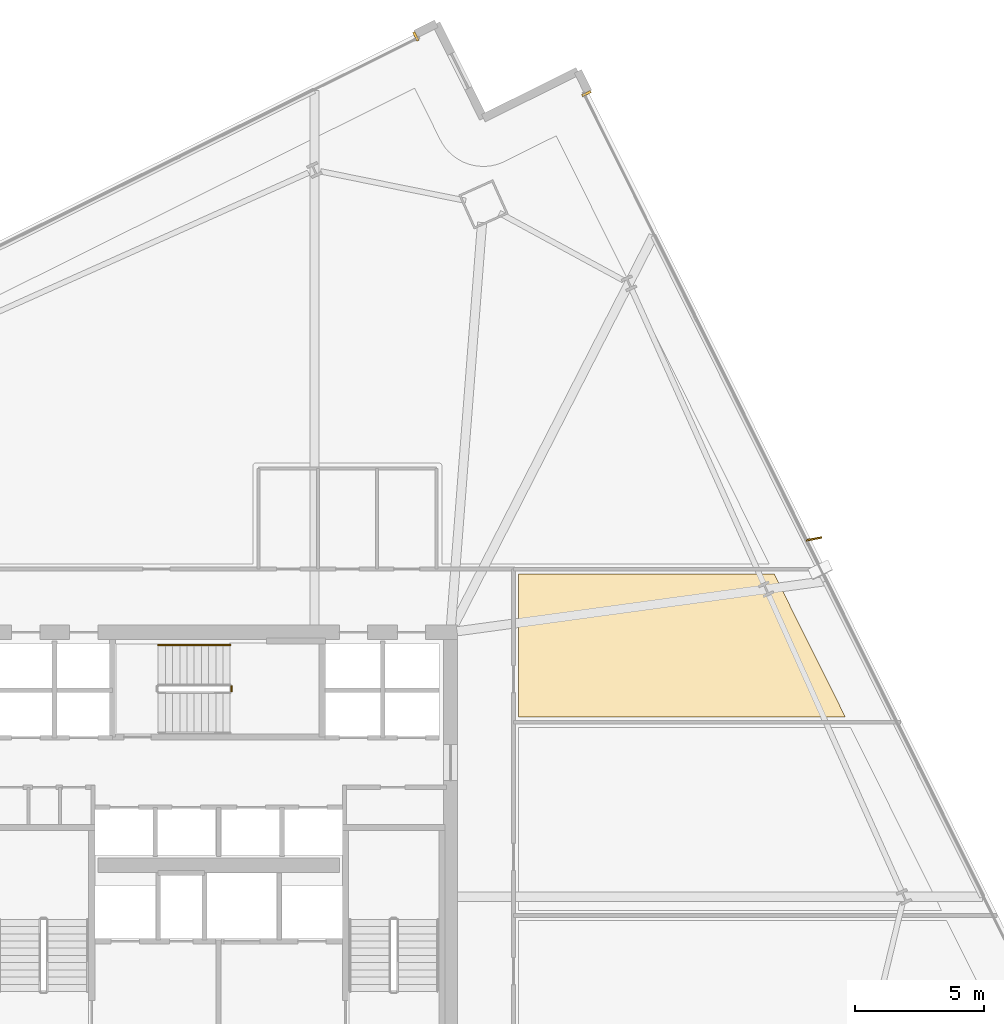
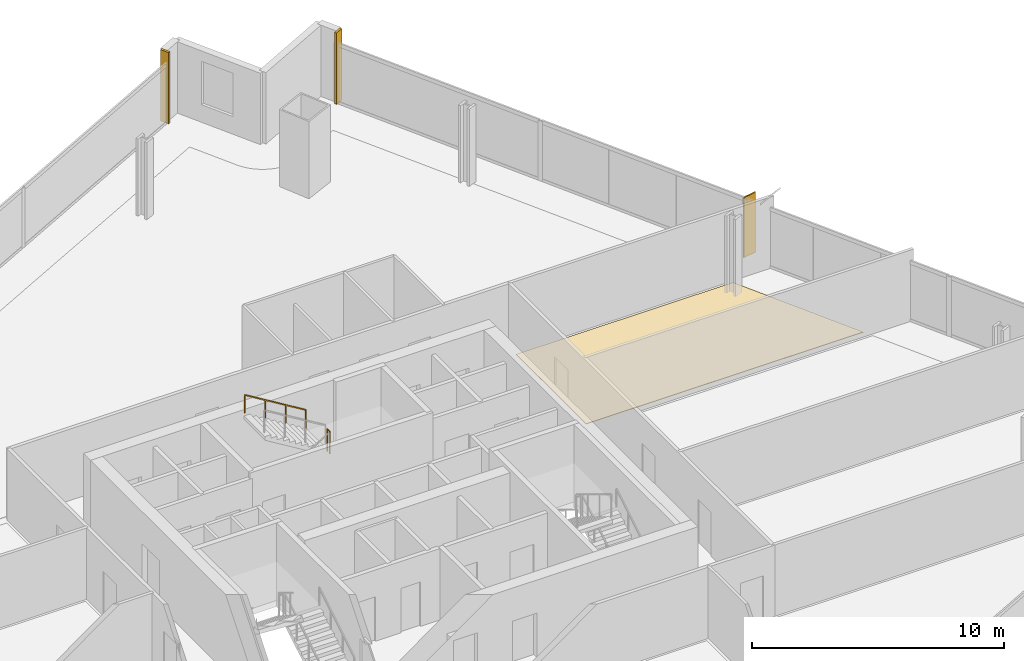
# One storey, part 34 of 35: 3 coverings, 2 railings, 1 shading device.
"""IFC4 building model written with IfcOpenShell, lengths in metres."""

from ifc_helpers import new_model, si_unit, direction, frame, origin, origin_2d, place, context, subcontext, project, spatial, polyline, rectangle, outline, extrude, source, transform, mapped, material, layer, layer_set, type_object, element, save


model = new_model("IFC4")

# Units and contexts
model_context = context("Model", 3, precision=1e-05, world=origin(), true_north=direction((0.0, 1.0)))
body_context = subcontext(model_context, "Body", "Model", "MODEL_VIEW")
ifc_project = project(units=[si_unit("LENGTHUNIT", "METRE"), si_unit("AREAUNIT", "SQUARE_METRE"), si_unit("VOLUMEUNIT", "CUBIC_METRE"), si_unit("PLANEANGLEUNIT", "RADIAN"), si_unit("MASSUNIT", "GRAM", prefix="KILO")], contexts=[model_context])

# Site, building, storey
site_placement = place(None, origin())
site = spatial("IfcSite", under=ifc_project, at=site_placement, CompositionType="ELEMENT")
building_placement = place(site_placement, origin())
building = spatial("IfcBuilding", under=site, at=building_placement, Name="Haldenkirk Collegiate Tower", CompositionType="ELEMENT")
storey_placement = place(building_placement, frame((0.0, 0.0, 116.699951171875)))
storey = spatial("IfcBuildingStorey", under=building, at=storey_placement, Name="L28", CompositionType="ELEMENT", Elevation=116.699951171875)

# Covering
ifc_material_1 = material(Name="Polished collegiate terrazzo", Category="concrete")
ifc_layer_1 = layer(ifc_material_1, 0.02490234375)
ifc_layer_set_1 = layer_set([ifc_layer_1], Name="Polished collegiate terrazzo")
covering_type_1 = type_object("IfcCoveringType", Name="COV-FLOOR-TERRAZZO", PredefinedType="FLOORING", material=ifc_layer_set_1)
covering_placement = place(storey_placement, origin())
element("IfcCovering", 1, at=covering_placement, inside=storey, type_object=covering_type_1, Name="L28 academic room finish 12", PredefinedType="FLOORING", context=body_context, shape_type="SweptSolid", body=[
    extrude(outline(polyline([(60.333740234375, 30.699951171875), (47.64990234375, 30.699951171875), (47.64990234375, 36.25), (57.572509765625, 36.25), (60.333740234375, 30.699951171875)])), origin(), (0.0, 0.0, 1.0), 0.025146484375),
])

# Railings
ifc_material_2 = material(Name="Painted architectural tubular steel", Category="steel")
railing_type_1 = type_object("IfcRailingType", Name="RLG-STAIR-GUARD-1100", PredefinedType="BALUSTRADE", material=ifc_material_2)
railing_1_placement = place(storey_placement, frame((36.5, 31.699951171875, 1.875)))
element("IfcRailing", 2, at=railing_1_placement, inside=storey, type_object=railing_type_1, Name="L28 ST-3 stair guard 2", PredefinedType="BALUSTRADE", context=body_context, shape_type="SweptSolid", body=[
    extrude(rectangle(XDim=0.048095703125, YDim=0.048095703125, at=origin_2d()), frame((0.0, 0.0, 1.076171875), z_axis=(0.0, 1.0, 0.0), x_axis=(-1.0, 0.0, 0.0)), (0.0, 0.0, 1.0), 0.199951171875),
    extrude(rectangle(XDim=0.0419921875, YDim=0.0419921875, at=origin_2d()), origin(), (0.0, 0.0, 1.0), 1.052001953125),
    extrude(rectangle(XDim=0.0419921875, YDim=0.0419921875, at=origin_2d()), frame((0.0, 0.199951171875, 0.0)), (0.0, 0.0, 1.0), 1.052001953125),
])
railing_type_2 = type_object("IfcRailingType", Name="RLG-STAIR-HANDRAIL-900", PredefinedType="HANDRAIL", material=ifc_material_2)
railing_2_placement = place(storey_placement, frame((36.449951171875, 33.5, 2.04541015625)))
element("IfcRailing", 3, at=railing_2_placement, inside=storey, type_object=railing_type_2, Name="L28 ST-3 stair handrail 2", PredefinedType="HANDRAIL", context=body_context, shape_type="SweptSolid", body=[
    extrude(rectangle(XDim=0.048095703125, YDim=0.048095703125, at=origin_2d()), frame((0.0, 0.0, 0.8759765625), z_axis=(-0.854169791009, 0.0, 0.51999420009), x_axis=(0.0, -1.0, 0.0)), (0.0, 0.0, 1.0), 3.278076171875),
    extrude(rectangle(XDim=0.0419921875, YDim=0.0419921875, at=origin_2d()), origin(), (0.0, 0.0, 1.0), 0.851806640625),
    extrude(rectangle(XDim=0.0419921875, YDim=0.0419921875, at=origin_2d()), frame((-0.933349609375, 0.0, 0.568115234375)), (0.0, 0.0, 1.0), 0.851806640625),
    extrude(rectangle(XDim=0.0419921875, YDim=0.0419921875, at=origin_2d()), frame((-1.86669921875, 0.0, 1.136474609375)), (0.0, 0.0, 1.0), 0.851806640625),
    extrude(rectangle(XDim=0.0419921875, YDim=0.0419921875, at=origin_2d()), frame((-2.800048828125, 0.0, 1.70458984375)), (0.0, 0.0, 1.0), 0.851806640625),
])

# Coverings
ifc_material_3 = material(Name="Anodised architectural bronze aluminium", Category="aluminium")
ifc_layer_2 = layer(ifc_material_3, 0.06005859375)
ifc_layer_set_2 = layer_set([ifc_layer_2], Name="Anodised architectural bronze aluminium")
covering_type_2 = type_object("IfcCoveringType", Name="COV-CLAD-BRONZE-60", PredefinedType="CLADDING", material=ifc_layer_set_2)
shared_shape_1 = source(origin(), body_context, "Body", "SweptSolid", [
    extrude(rectangle(XDim=0.10009765625, YDim=0.3798828125, at=origin_2d()), origin(), (0.0, 0.0, 1.0), 3.449951171875),
])
for number, where, z_axis, x_axis, name in (
    (4, (50.279541015625, 54.906005859375, 0.0), (0.0, 0.0, 1.0), (0.445416665749, -0.895323401835, 0.0), "L28 recessed curtain-wall bronze jamb closure EJL"),
    (5, (43.65625, 57.128662109375, 0.0), (0.0, 0.0, 1.0), (0.895323401835, 0.445416665749, 0.0), "L28 recessed curtain-wall bronze jamb closure NJR"),
):
    element("IfcCovering", number, at=place(storey_placement, frame(where, z_axis=z_axis, x_axis=x_axis)), inside=storey, type_object=covering_type_2, Name=name, PredefinedType="CLADDING", context=body_context, shape_type="MappedRepresentation", body=[
        mapped(shared_shape_1, transform((0.0, 0.0, 0.0), x_axis=(1.0, 0.0, 0.0), y_axis=(0.0, 1.0, 0.0), z_axis=(0.0, 0.0, 1.0), scale=1.0)),
    ])

# Shading device
ifc_layer_3 = layer(ifc_material_3, 0.06494140625)
ifc_layer_set_3 = layer_set([ifc_layer_3], Name="Anodised architectural bronze aluminium")
shading_device_type = type_object("IfcShadingDeviceType", Name="SHD-FIN-BRONZE-620", PredefinedType="USERDEFINED", material=ifc_layer_set_3)
shared_shape_2 = source(origin(), body_context, "Body", "SweptSolid", [
    extrude(rectangle(XDim=0.6201171875, YDim=0.06494140625, at=origin_2d()), origin(), (0.0, 0.0, 1.0), 2.90087890625),
])
shading_device_placement = place(storey_placement, frame((59.107421875, 37.621337890625, 0.0), z_axis=(0.0, 0.0, 1.0), x_axis=(0.983413563645, 0.181377404435, 0.0)))
element("IfcShadingDevice", 6, at=shading_device_placement, inside=storey, type_object=shading_device_type, Name="L28 folded bronze solar fin 1", ObjectType="FIN", PredefinedType="USERDEFINED", context=body_context, shape_type="MappedRepresentation", body=[
    mapped(shared_shape_2, transform((0.0, 0.0, 0.0), x_axis=(1.0, 0.0, 0.0), y_axis=(0.0, 1.0, 0.0), z_axis=(0.0, 0.0, 1.0), scale=1.0)),
])

save(model, "model.ifc")
